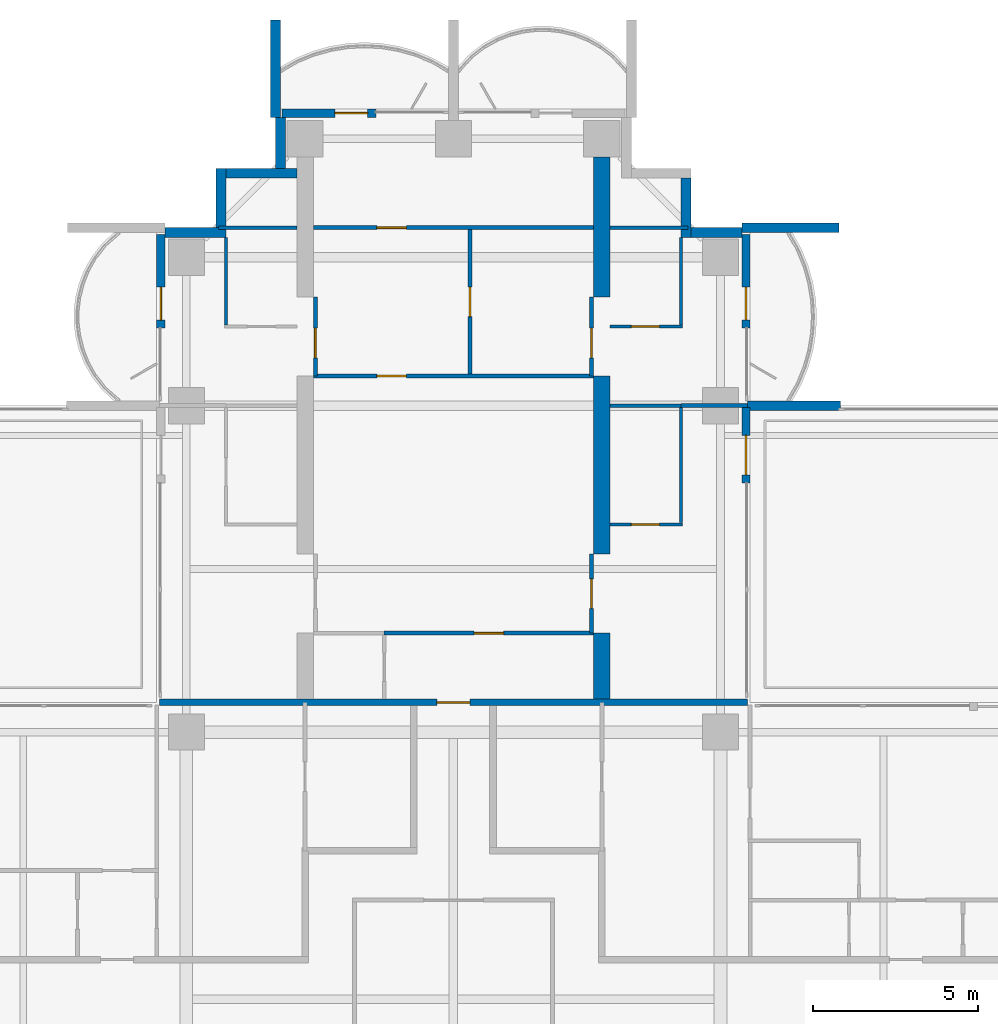
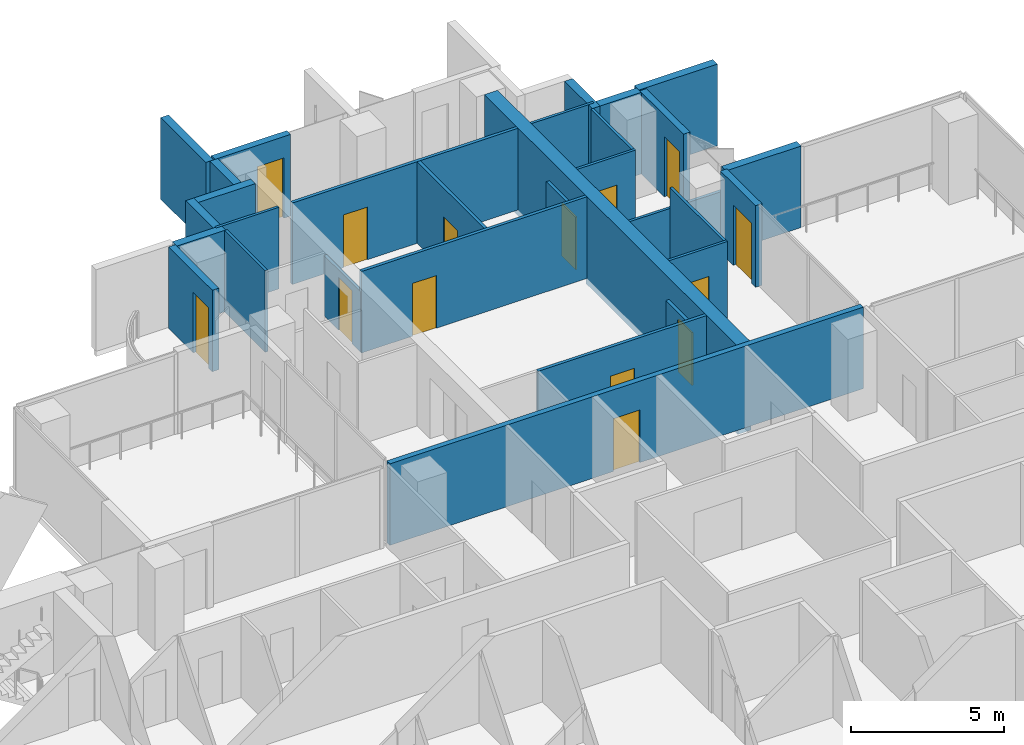
# One storey, part 14 of 19: 31 walls, 14 doors, 14 openings.
"""IFC4 building model written with IfcOpenShell, lengths in metres."""

from ifc_helpers import new_model, si_unit, direction, frame, frame_2d, origin, place, context, subcontext, project, spatial, polyline, rectangle, outline, extrude, material, layer, layer_set, material_profile, profile_set, type_object, element, fill, save


model = new_model("IFC4")

# Units and contexts
model_context = context("Model", 3, precision=1e-05, world=origin(), true_north=direction((0.0, 1.0)))
body_context = subcontext(model_context, "Body", "Model", "MODEL_VIEW")
ifc_project = project(units=[si_unit("LENGTHUNIT", "METRE"), si_unit("AREAUNIT", "SQUARE_METRE"), si_unit("VOLUMEUNIT", "CUBIC_METRE"), si_unit("PLANEANGLEUNIT", "RADIAN"), si_unit("MASSUNIT", "GRAM", prefix="KILO")], contexts=[model_context])

# Site, building, storey
site_placement = place(None, origin())
site = spatial("IfcSite", under=ifc_project, at=site_placement, CompositionType="ELEMENT")
building_placement = place(site_placement, origin())
building = spatial("IfcBuilding", under=site, at=building_placement, Name="Perihelion Cross Residences", CompositionType="ELEMENT")
storey_placement = place(building_placement, frame((0.0, 0.0, 147.89990234375)))
storey = spatial("IfcBuildingStorey", under=building, at=storey_placement, Name="L36", CompositionType="ELEMENT", Elevation=147.89990234375)

# Wall, opening, door
ifc_material_1 = material(Name="Plasterboard partition")
ifc_layer_1 = layer(ifc_material_1, 0.199951171875)
ifc_layer_set_1 = layer_set([ifc_layer_1], Name="Apartment separation wall 200")
wall_type_1 = type_object("IfcWallType", Name="Apartment separation wall 200", PredefinedType="PARTITIONING", material=ifc_layer_set_1)
wall_1_placement = place(storey_placement, frame((-8.919921875, 9.0, 0.0), z_axis=(0.0, 0.0, 1.0), x_axis=(1.0, 0.0, 0.0)))
wall_1 = element("IfcWall", 1, at=wall_1_placement, inside=storey, type_object=wall_type_1, Name="Partition L36 W021", PredefinedType="PARTITIONING", context=body_context, shape_type="SweptSolid", body=[
    extrude(rectangle(XDim=17.83984375, YDim=0.199951171875, at=frame_2d((8.919921875, 0.0))), origin(), (0.0, 0.0, 1.0), 3.25),
])
opening_1_placement = place(wall_1_placement, frame((8.419921875, 0.0, 0.0)))
opening_1 = element("IfcOpeningElement", 2, at=opening_1_placement, cuts=wall_1, Name="Opening L36.A34", PredefinedType="OPENING", context=body_context, shape_type="SweptSolid", body=[
    extrude(rectangle(XDim=1.0, YDim=2.10009765625, at=frame_2d((0.5, 1.050048828125))), frame((0.0, 0.10986328125, 0.0), z_axis=(0.0, -1.0, 0.0), x_axis=(1.0, 0.0, 0.0)), (0.0, 0.0, 1.0), 0.219970703125),
])
ifc_material_2 = material(Name="Timber door leaf", Category="wood")
door_type_1 = type_object("IfcDoorType", Name="Flat entrance door 1000 x 2100", OperationType="SINGLE_SWING_LEFT", PredefinedType="DOOR", material=ifc_material_2)
door_1_placement = place(opening_1_placement, origin())
door_1 = element("IfcDoor", 3, at=door_1_placement, inside=storey, type_object=door_type_1, Name="Door L36.A34", OperationType="SINGLE_SWING_RIGHT", OverallHeight=2.10009765625, OverallWidth=1.0, PredefinedType="DOOR", context=body_context, shape_type="SweptSolid", body=[
    extrude(rectangle(XDim=1.0, YDim=2.10009765625, at=frame_2d((0.5, 1.050048828125))), frame((0.0, 0.02490234375, 0.0), z_axis=(0.0, -1.0, 0.0), x_axis=(1.0, 0.0, 0.0)), (0.0, 0.0, 1.0), 0.050048828125),
])
fill(opening_1, door_1)

ifc_material_3 = material(Name="Concrete C30/37, bronze-clad", Category="concrete")
ifc_layer_2 = layer(ifc_material_3, 0.25)
ifc_layer_set_2 = layer_set([ifc_layer_2], Name="Bronze-clad pier wall 250")
wall_type_2 = type_object("IfcWallType", Name="Bronze-clad pier wall 250", PredefinedType="SOLIDWALL", material=ifc_layer_set_2)
wall_2_placement = place(storey_placement, frame((8.875, 15.64990234375, 0.0), z_axis=(0.0, 0.0, 1.0), x_axis=(0.0, 1.0, 0.0)))
wall_2 = element("IfcWall", 4, at=wall_2_placement, inside=storey, type_object=wall_type_2, Name="Wall FW1 L36 north side east bay 1 pier", PredefinedType="SOLIDWALL", context=body_context, shape_type="SweptSolid", body=[
    extrude(rectangle(XDim=2.2900390625, YDim=0.25, at=frame_2d((1.14501953125, 0.0))), origin(), (0.0, 0.0, 1.0), 3.25),
])
opening_2_placement = place(wall_2_placement, frame((0.25, 0.0, 0.0)))
opening_2 = element("IfcOpeningElement", 5, at=opening_2_placement, cuts=wall_2, Name="Opening L36.E02", PredefinedType="OPENING", context=body_context, shape_type="SweptSolid", body=[
    extrude(rectangle(XDim=1.199951171875, YDim=2.39990234375, at=frame_2d((0.60009765625, 1.199951171875))), frame((0.0, 0.135009765625, 0.0), z_axis=(0.0, -1.0, 0.0), x_axis=(1.0, 0.0, 0.0)), (0.0, 0.0, 1.0), 0.27001953125),
])
ifc_material_4 = material(Name="Bronze anodised aluminium, glazed", Category="aluminium")
door_type_2 = type_object("IfcDoorType", Name="Balcony door 1200 x 2400", OperationType="NOTDEFINED", PredefinedType="DOOR", material=ifc_material_4)
door_2_placement = place(opening_2_placement, origin())
door_2 = element("IfcDoor", 6, at=door_2_placement, inside=storey, type_object=door_type_2, Name="Door L36.E02 north side east bay 1", OperationType="SINGLE_SWING_LEFT", OverallHeight=2.39990234375, OverallWidth=1.199951171875, PredefinedType="DOOR", context=body_context, shape_type="SweptSolid", body=[
    extrude(rectangle(XDim=1.199951171875, YDim=2.39990234375, at=frame_2d((0.60009765625, 1.199951171875))), frame((0.0, 0.02490234375, 0.0), z_axis=(0.0, -1.0, 0.0), x_axis=(1.0, 0.0, 0.0)), (0.0, 0.0, 1.0), 0.050048828125),
])
fill(opening_2, door_2)

wall_3_placement = place(storey_placement, frame((8.875, 20.35009765625, 0.0), z_axis=(0.0, 0.0, 1.0), x_axis=(0.0, 1.0, 0.0)))
wall_3 = element("IfcWall", 7, at=wall_3_placement, inside=storey, type_object=wall_type_2, Name="Wall FW1 L36 north side east bay 2 pier", PredefinedType="SOLIDWALL", context=body_context, shape_type="SweptSolid", body=[
    extrude(rectangle(XDim=2.849853515625, YDim=0.25, at=frame_2d((1.4248046875, 0.0))), origin(), (0.0, 0.0, 1.0), 3.25),
])
opening_3_placement = place(wall_3_placement, frame((0.25, 0.0, 0.0)))
opening_3 = element("IfcOpeningElement", 8, at=opening_3_placement, cuts=wall_3, Name="Opening L36.E03", PredefinedType="OPENING", context=body_context, shape_type="SweptSolid", body=[
    extrude(rectangle(XDim=1.0, YDim=2.39990234375, at=frame_2d((0.5, 1.199951171875))), frame((0.0, 0.135009765625, 0.0), z_axis=(0.0, -1.0, 0.0), x_axis=(1.0, 0.0, 0.0)), (0.0, 0.0, 1.0), 0.27001953125),
])
ifc_material_5 = material(Name="Bronze anodised aluminium, glazed", Category="aluminium")
door_type_3 = type_object("IfcDoorType", Name="Balcony door 1000 x 2400", OperationType="NOTDEFINED", PredefinedType="DOOR", material=ifc_material_5)
door_3_placement = place(opening_3_placement, origin())
door_3 = element("IfcDoor", 9, at=door_3_placement, inside=storey, type_object=door_type_3, Name="Door L36.E03 north side east bay 2", OperationType="SINGLE_SWING_RIGHT", OverallHeight=2.39990234375, OverallWidth=1.0, PredefinedType="DOOR", context=body_context, shape_type="SweptSolid", body=[
    extrude(rectangle(XDim=1.0, YDim=2.39990234375, at=frame_2d((0.5, 1.199951171875))), frame((0.0, 0.02490234375, 0.0), z_axis=(0.0, -1.0, 0.0), x_axis=(1.0, 0.0, 0.0)), (0.0, 0.0, 1.0), 0.050048828125),
])
fill(opening_3, door_3)

wall_4_placement = place(storey_placement, frame((-2.35009765625, 26.875, 0.0), z_axis=(0.0, 0.0, 1.0), x_axis=(-1.0, 0.0, 0.0)))
wall_4 = element("IfcWall", 10, at=wall_4_placement, inside=storey, type_object=wall_type_2, Name="Wall FW1 L36 north tip north bay 2 pier", PredefinedType="SOLIDWALL", context=body_context, shape_type="SweptSolid", body=[
    extrude(rectangle(XDim=2.849853515625, YDim=0.25, at=frame_2d((1.4248046875, 0.0))), origin(), (0.0, 0.0, 1.0), 3.25),
])
opening_4_placement = place(wall_4_placement, frame((0.25, 0.0, 0.0)))
opening_4 = element("IfcOpeningElement", 11, at=opening_4_placement, cuts=wall_4, Name="Opening L36.E05", PredefinedType="OPENING", context=body_context, shape_type="SweptSolid", body=[
    extrude(rectangle(XDim=1.0, YDim=2.39990234375, at=frame_2d((0.5, 1.199951171875))), frame((0.0, 0.135009765625, 0.0), z_axis=(0.0, -1.0, 0.0), x_axis=(1.0, 0.0, 0.0)), (0.0, 0.0, 1.0), 0.27001953125),
])
door_4_placement = place(opening_4_placement, origin())
door_4 = element("IfcDoor", 12, at=door_4_placement, inside=storey, type_object=door_type_3, Name="Door L36.E05 north tip north bay 2", OperationType="SINGLE_SWING_RIGHT", OverallHeight=2.39990234375, OverallWidth=1.0, PredefinedType="DOOR", context=body_context, shape_type="SweptSolid", body=[
    extrude(rectangle(XDim=1.0, YDim=2.39990234375, at=frame_2d((0.5, 1.199951171875))), frame((0.0, 0.02490234375, 0.0), z_axis=(0.0, -1.0, 0.0), x_axis=(1.0, 0.0, 0.0)), (0.0, 0.0, 1.0), 0.050048828125),
])
fill(opening_4, door_4)

wall_5_placement = place(storey_placement, frame((-8.875, 23.199951171875, 0.0), z_axis=(0.0, 0.0, 1.0), x_axis=(0.0, -1.0, 0.0)))
wall_5 = element("IfcWall", 13, at=wall_5_placement, inside=storey, type_object=wall_type_2, Name="Wall FW1 L36 north side west bay 1 pier", PredefinedType="SOLIDWALL", context=body_context, shape_type="SweptSolid", body=[
    extrude(rectangle(XDim=2.849853515625, YDim=0.25, at=frame_2d((1.4248046875, 0.0))), origin(), (0.0, 0.0, 1.0), 3.25),
])
opening_5_placement = place(wall_5_placement, frame((1.60009765625, 0.0, 0.0)))
opening_5 = element("IfcOpeningElement", 14, at=opening_5_placement, cuts=wall_5, Name="Opening L36.E06", PredefinedType="OPENING", context=body_context, shape_type="SweptSolid", body=[
    extrude(rectangle(XDim=1.0, YDim=2.39990234375, at=frame_2d((0.5, 1.199951171875))), frame((0.0, 0.135009765625, 0.0), z_axis=(0.0, -1.0, 0.0), x_axis=(1.0, 0.0, 0.0)), (0.0, 0.0, 1.0), 0.27001953125),
])
door_5_placement = place(opening_5_placement, origin())
door_5 = element("IfcDoor", 15, at=door_5_placement, inside=storey, type_object=door_type_3, Name="Door L36.E06 north side west bay 1", OperationType="SINGLE_SWING_LEFT", OverallHeight=2.39990234375, OverallWidth=1.0, PredefinedType="DOOR", context=body_context, shape_type="SweptSolid", body=[
    extrude(rectangle(XDim=1.0, YDim=2.39990234375, at=frame_2d((0.5, 1.199951171875))), frame((0.0, 0.02490234375, 0.0), z_axis=(0.0, -1.0, 0.0), x_axis=(1.0, 0.0, 0.0)), (0.0, 0.0, 1.0), 0.050048828125),
])
fill(opening_5, door_5)

# Walls
ifc_material_6 = material(Name="Concrete C30/37, bronze-clad", Category="concrete")
ifc_layer_3 = layer(ifc_material_6, 0.300048828125)
ifc_layer_set_3 = layer_set([ifc_layer_3], Name="Bronze-clad serration wall 300")
wall_type_3 = type_object("IfcWallType", Name="Bronze-clad serration wall 300", PredefinedType="SOLIDWALL", material=ifc_layer_set_3)
wall_6_placement = place(storey_placement, frame((8.75, 23.25, 0.0), z_axis=(0.0, 0.0, 1.0), x_axis=(-1.0, 0.0, 0.0)))
element("IfcWall", 16, at=wall_6_placement, inside=storey, type_object=wall_type_3, Name="Wall SR1 L36 north corner north-east 1", PredefinedType="SOLIDWALL", context=body_context, shape_type="SweptSolid", body=[
    extrude(rectangle(XDim=1.550048828125, YDim=0.300048828125, at=frame_2d((0.77490234375, 0.0))), origin(), (0.0, 0.0, 1.0), 3.25),
])
wall_7_placement = place(storey_placement, frame((7.050048828125, 23.10009765625, 0.0), z_axis=(0.0, 0.0, 1.0), x_axis=(0.0, 1.0, 0.0)))
element("IfcWall", 17, at=wall_7_placement, inside=storey, type_object=wall_type_3, Name="Wall SR1 L36 north corner north-east 2", PredefinedType="SOLIDWALL", context=body_context, shape_type="SweptSolid", body=[
    extrude(rectangle(XDim=1.7998046875, YDim=0.300048828125, at=frame_2d((0.89990234375, 0.0))), origin(), (0.0, 0.0, 1.0), 3.25),
])
wall_8_placement = place(storey_placement, frame((-5.25, 26.75, 0.0), z_axis=(0.0, 0.0, 1.0), x_axis=(0.0, -1.0, 0.0)))
element("IfcWall", 18, at=wall_8_placement, inside=storey, type_object=wall_type_3, Name="Wall SR1 L36 north corner north-west 1", PredefinedType="SOLIDWALL", context=body_context, shape_type="SweptSolid", body=[
    extrude(rectangle(XDim=1.550048828125, YDim=0.300048828125, at=frame_2d((0.77490234375, 0.0))), origin(), (0.0, 0.0, 1.0), 3.25),
])
wall_9_placement = place(storey_placement, frame((-4.75, 25.050048828125, 0.0), z_axis=(0.0, 0.0, 1.0), x_axis=(-1.0, 0.0, 0.0)))
element("IfcWall", 19, at=wall_9_placement, inside=storey, type_object=wall_type_3, Name="Wall SR1 L36 north corner north-west 2", PredefinedType="SOLIDWALL", context=body_context, shape_type="SweptSolid", body=[
    extrude(rectangle(XDim=2.14990234375, YDim=0.300048828125, at=frame_2d((1.074951171875, 0.0))), origin(), (0.0, 0.0, 1.0), 3.25),
])
wall_10_placement = place(storey_placement, frame((-7.050048828125, 25.199951171875, 0.0), z_axis=(0.0, 0.0, 1.0), x_axis=(0.0, -1.0, 0.0)))
element("IfcWall", 20, at=wall_10_placement, inside=storey, type_object=wall_type_3, Name="Wall SR1 L36 north corner north-west 3", PredefinedType="SOLIDWALL", context=body_context, shape_type="SweptSolid", body=[
    extrude(rectangle(XDim=1.800048828125, YDim=0.300048828125, at=frame_2d((0.89990234375, 0.0))), origin(), (0.0, 0.0, 1.0), 3.25),
])
wall_11_placement = place(storey_placement, frame((-6.89990234375, 23.25, 0.0), z_axis=(0.0, 0.0, 1.0), x_axis=(-1.0, 0.0, 0.0)))
element("IfcWall", 21, at=wall_11_placement, inside=storey, type_object=wall_type_3, Name="Wall SR1 L36 north corner north-west 4", PredefinedType="SOLIDWALL", context=body_context, shape_type="SweptSolid", body=[
    extrude(rectangle(XDim=1.85009765625, YDim=0.300048828125, at=frame_2d((0.925048828125, 0.0))), origin(), (0.0, 0.0, 1.0), 3.25),
])

# Wall, opening, door
ifc_material_7 = material(Name="Plasterboard partition")
ifc_layer_4 = layer(ifc_material_7, 0.1201171875)
ifc_layer_set_4 = layer_set([ifc_layer_4], Name="Infill panel 120")
wall_type_4 = type_object("IfcWallType", Name="Infill panel 120", PredefinedType="PARTITIONING", material=ifc_layer_set_4)
wall_12_placement = place(storey_placement, frame((4.18994140625, 11.10009765625, 0.0), z_axis=(0.0, 0.0, 1.0), x_axis=(0.0, 1.0, 0.0)))
wall_12 = element("IfcWall", 22, at=wall_12_placement, inside=storey, type_object=wall_type_4, Name="Partition L36 WI01", PredefinedType="PARTITIONING", context=body_context, shape_type="SweptSolid", body=[
    extrude(rectangle(XDim=2.39990234375, YDim=0.1201171875, at=frame_2d((1.199951171875, 0.0))), origin(), (0.0, 0.0, 1.0), 2.400146484375),
])
opening_6_placement = place(wall_12_placement, frame((0.75, 0.0, 0.0)))
opening_6 = element("IfcOpeningElement", 23, at=opening_6_placement, cuts=wall_12, Name="Opening L36.A54", PredefinedType="OPENING", context=body_context, shape_type="SweptSolid", body=[
    extrude(rectangle(XDim=0.89990234375, YDim=2.10009765625, at=frame_2d((0.449951171875, 1.050048828125))), frame((0.0, 0.070068359375, 0.0), z_axis=(0.0, -1.0, 0.0), x_axis=(1.0, 0.0, 0.0)), (0.0, 0.0, 1.0), 0.14013671875),
])
ifc_material_8 = material(Name="Timber door leaf", Category="wood")
door_type_4 = type_object("IfcDoorType", Name="Interior room door 900 x 2100", OperationType="SINGLE_SWING_LEFT", PredefinedType="DOOR", material=ifc_material_8)
door_6_placement = place(opening_6_placement, origin())
door_6 = element("IfcDoor", 24, at=door_6_placement, inside=storey, type_object=door_type_4, Name="Door L36.A54", OperationType="SINGLE_SWING_RIGHT", OverallHeight=2.10009765625, OverallWidth=0.89990234375, PredefinedType="DOOR", context=body_context, shape_type="SweptSolid", body=[
    extrude(rectangle(XDim=0.89990234375, YDim=2.10009765625, at=frame_2d((0.449951171875, 1.050048828125))), frame((0.0, 0.02490234375, 0.0), z_axis=(0.0, -1.0, 0.0), x_axis=(1.0, 0.0, 0.0)), (0.0, 0.0, 1.0), 0.050048828125),
])
fill(opening_6, door_6)

wall_13_placement = place(storey_placement, frame((4.18994140625, 18.89990234375, 0.0), z_axis=(0.0, 0.0, 1.0), x_axis=(0.0, 1.0, 0.0)))
wall_13 = element("IfcWall", 25, at=wall_13_placement, inside=storey, type_object=wall_type_4, Name="Partition L36 WI02", PredefinedType="PARTITIONING", context=body_context, shape_type="SweptSolid", body=[
    extrude(rectangle(XDim=2.400146484375, YDim=0.1201171875, at=frame_2d((1.2001953125, 0.0))), origin(), (0.0, 0.0, 1.0), 2.400146484375),
])
opening_7_placement = place(wall_13_placement, frame((0.550048828125, 0.0, 0.0)))
opening_7 = element("IfcOpeningElement", 26, at=opening_7_placement, cuts=wall_13, Name="Opening L36.A55", PredefinedType="OPENING", context=body_context, shape_type="SweptSolid", body=[
    extrude(rectangle(XDim=0.89990234375, YDim=2.10009765625, at=frame_2d((0.449951171875, 1.050048828125))), frame((0.0, 0.070068359375, 0.0), z_axis=(0.0, -1.0, 0.0), x_axis=(1.0, 0.0, 0.0)), (0.0, 0.0, 1.0), 0.14013671875),
])
door_7_placement = place(opening_7_placement, origin())
door_7 = element("IfcDoor", 27, at=door_7_placement, inside=storey, type_object=door_type_4, Name="Door L36.A55", OperationType="SINGLE_SWING_LEFT", OverallHeight=2.10009765625, OverallWidth=0.89990234375, PredefinedType="DOOR", context=body_context, shape_type="SweptSolid", body=[
    extrude(rectangle(XDim=0.89990234375, YDim=2.10009765625, at=frame_2d((0.449951171875, 1.050048828125))), frame((0.0, 0.02490234375, 0.0), z_axis=(0.0, -1.0, 0.0), x_axis=(1.0, 0.0, 0.0)), (0.0, 0.0, 1.0), 0.050048828125),
])
fill(opening_7, door_7)

wall_14_placement = place(storey_placement, frame((-4.18994140625, 18.89990234375, 0.0), z_axis=(0.0, 0.0, 1.0), x_axis=(0.0, 1.0, 0.0)))
wall_14 = element("IfcWall", 28, at=wall_14_placement, inside=storey, type_object=wall_type_4, Name="Partition L36 WI04", PredefinedType="PARTITIONING", context=body_context, shape_type="SweptSolid", body=[
    extrude(rectangle(XDim=2.400146484375, YDim=0.1201171875, at=frame_2d((1.2001953125, 0.0))), origin(), (0.0, 0.0, 1.0), 2.400146484375),
])
opening_8_placement = place(wall_14_placement, frame((0.550048828125, 0.0, 0.0)))
opening_8 = element("IfcOpeningElement", 29, at=opening_8_placement, cuts=wall_14, Name="Opening L36.A57", PredefinedType="OPENING", context=body_context, shape_type="SweptSolid", body=[
    extrude(rectangle(XDim=0.89990234375, YDim=2.10009765625, at=frame_2d((0.449951171875, 1.050048828125))), frame((0.0, 0.070068359375, 0.0), z_axis=(0.0, -1.0, 0.0), x_axis=(1.0, 0.0, 0.0)), (0.0, 0.0, 1.0), 0.14013671875),
])
door_8_placement = place(opening_8_placement, origin())
door_8 = element("IfcDoor", 30, at=door_8_placement, inside=storey, type_object=door_type_4, Name="Door L36.A57", OperationType="SINGLE_SWING_RIGHT", OverallHeight=2.10009765625, OverallWidth=0.89990234375, PredefinedType="DOOR", context=body_context, shape_type="SweptSolid", body=[
    extrude(rectangle(XDim=0.89990234375, YDim=2.10009765625, at=frame_2d((0.449951171875, 1.050048828125))), frame((0.0, 0.02490234375, 0.0), z_axis=(0.0, -1.0, 0.0), x_axis=(1.0, 0.0, 0.0)), (0.0, 0.0, 1.0), 0.050048828125),
])
fill(opening_8, door_8)

ifc_material_9 = material(Name="Plasterboard partition")
ifc_layer_5 = layer(ifc_material_9, 0.1201171875)
ifc_layer_set_5 = layer_set([ifc_layer_5], Name="Partition wall 120")
wall_type_5 = type_object("IfcWallType", Name="Partition wall 120", PredefinedType="PARTITIONING", material=ifc_layer_set_5)
wall_15_placement = place(storey_placement, frame((-2.10009765625, 11.10009765625, 0.0), z_axis=(0.0, 0.0, 1.0), x_axis=(1.0, 0.0, 0.0)))
wall_15 = element("IfcWall", 31, at=wall_15_placement, inside=storey, type_object=wall_type_5, Name="Partition L36 W068", PredefinedType="PARTITIONING", context=body_context, shape_type="SweptSolid", body=[
    extrude(rectangle(XDim=6.35009765625, YDim=0.1201171875, at=frame_2d((3.175048828125, 0.0))), origin(), (0.0, 0.0, 1.0), 3.25),
])
opening_9_placement = place(wall_15_placement, frame((2.72509765625, 0.0, 0.0)))
opening_9 = element("IfcOpeningElement", 32, at=opening_9_placement, cuts=wall_15, Name="Opening L36.A36", PredefinedType="OPENING", context=body_context, shape_type="SweptSolid", body=[
    extrude(rectangle(XDim=0.89990234375, YDim=2.10009765625, at=frame_2d((0.449951171875, 1.050048828125))), frame((0.0, 0.070068359375, 0.0), z_axis=(0.0, -1.0, 0.0), x_axis=(1.0, 0.0, 0.0)), (0.0, 0.0, 1.0), 0.14013671875),
])
door_9_placement = place(opening_9_placement, origin())
door_9 = element("IfcDoor", 33, at=door_9_placement, inside=storey, type_object=door_type_4, Name="Door L36.A36", OperationType="SINGLE_SWING_RIGHT", OverallHeight=2.10009765625, OverallWidth=0.89990234375, PredefinedType="DOOR", context=body_context, shape_type="SweptSolid", body=[
    extrude(rectangle(XDim=0.89990234375, YDim=2.10009765625, at=frame_2d((0.449951171875, 1.050048828125))), frame((0.0, 0.02490234375, 0.0), z_axis=(0.0, -1.0, 0.0), x_axis=(1.0, 0.0, 0.0)), (0.0, 0.0, 1.0), 0.050048828125),
])
fill(opening_9, door_9)

wall_16_placement = place(storey_placement, frame((-4.25, 18.89990234375, 0.0), z_axis=(0.0, 0.0, 1.0), x_axis=(1.0, 0.0, 0.0)))
wall_16 = element("IfcWall", 34, at=wall_16_placement, inside=storey, type_object=wall_type_5, Name="Partition L36 W070", PredefinedType="PARTITIONING", context=body_context, shape_type="SweptSolid", body=[
    extrude(rectangle(XDim=8.5, YDim=0.1201171875, at=frame_2d((4.25, 0.0))), origin(), (0.0, 0.0, 1.0), 3.25),
])
opening_10_placement = place(wall_16_placement, frame((1.925048828125, 0.0, 0.0)))
opening_10 = element("IfcOpeningElement", 35, at=opening_10_placement, cuts=wall_16, Name="Opening L36.A37", PredefinedType="OPENING", context=body_context, shape_type="SweptSolid", body=[
    extrude(rectangle(XDim=0.89990234375, YDim=2.10009765625, at=frame_2d((0.449951171875, 1.050048828125))), frame((0.0, 0.070068359375, 0.0), z_axis=(0.0, -1.0, 0.0), x_axis=(1.0, 0.0, 0.0)), (0.0, 0.0, 1.0), 0.14013671875),
])
door_10_placement = place(opening_10_placement, origin())
door_10 = element("IfcDoor", 36, at=door_10_placement, inside=storey, type_object=door_type_4, Name="Door L36.A37", OperationType="SINGLE_SWING_RIGHT", OverallHeight=2.10009765625, OverallWidth=0.89990234375, PredefinedType="DOOR", context=body_context, shape_type="SweptSolid", body=[
    extrude(rectangle(XDim=0.89990234375, YDim=2.10009765625, at=frame_2d((0.449951171875, 1.050048828125))), frame((0.0, 0.02490234375, 0.0), z_axis=(0.0, -1.0, 0.0), x_axis=(1.0, 0.0, 0.0)), (0.0, 0.0, 1.0), 0.050048828125),
])
fill(opening_10, door_10)

wall_17_placement = place(storey_placement, frame((0.5, 23.340087890625, 0.0), z_axis=(0.0, 0.0, 1.0), x_axis=(0.0, -1.0, 0.0)))
wall_17 = element("IfcWall", 37, at=wall_17_placement, inside=storey, type_object=wall_type_5, Name="Partition L36 W071", PredefinedType="PARTITIONING", context=body_context, shape_type="SweptSolid", body=[
    extrude(rectangle(XDim=4.380126953125, YDim=0.1201171875, at=frame_2d((2.18994140625, 0.0))), origin(), (0.0, 0.0, 1.0), 3.25),
])
opening_11_placement = place(wall_17_placement, frame((1.739990234375, 0.0, 0.0)))
opening_11 = element("IfcOpeningElement", 38, at=opening_11_placement, cuts=wall_17, Name="Opening L36.A38", PredefinedType="OPENING", context=body_context, shape_type="SweptSolid", body=[
    extrude(rectangle(XDim=0.89990234375, YDim=2.10009765625, at=frame_2d((0.449951171875, 1.050048828125))), frame((0.0, 0.070068359375, 0.0), z_axis=(0.0, -1.0, 0.0), x_axis=(1.0, 0.0, 0.0)), (0.0, 0.0, 1.0), 0.14013671875),
])
door_11_placement = place(opening_11_placement, origin())
door_11 = element("IfcDoor", 39, at=door_11_placement, inside=storey, type_object=door_type_4, Name="Door L36.A38", OperationType="SINGLE_SWING_LEFT", OverallHeight=2.10009765625, OverallWidth=0.89990234375, PredefinedType="DOOR", context=body_context, shape_type="SweptSolid", body=[
    extrude(rectangle(XDim=0.89990234375, YDim=2.10009765625, at=frame_2d((0.449951171875, 1.050048828125))), frame((0.0, 0.02490234375, 0.0), z_axis=(0.0, -1.0, 0.0), x_axis=(1.0, 0.0, 0.0)), (0.0, 0.0, 1.0), 0.050048828125),
])
fill(opening_11, door_11)

wall_18_placement = place(storey_placement, frame((-4.25, 23.39990234375, 0.0), z_axis=(0.0, 0.0, 1.0), x_axis=(1.0, 0.0, 0.0)))
wall_18 = element("IfcWall", 40, at=wall_18_placement, inside=storey, type_object=wall_type_5, Name="Partition L36 W072", PredefinedType="PARTITIONING", context=body_context, shape_type="SweptSolid", body=[
    extrude(rectangle(XDim=8.5, YDim=0.1201171875, at=frame_2d((4.25, 0.0))), origin(), (0.0, 0.0, 1.0), 3.25),
])
opening_12_placement = place(wall_18_placement, frame((1.925048828125, 0.0, 0.0)))
opening_12 = element("IfcOpeningElement", 41, at=opening_12_placement, cuts=wall_18, Name="Opening L36.A39", PredefinedType="OPENING", context=body_context, shape_type="SweptSolid", body=[
    extrude(rectangle(XDim=0.89990234375, YDim=2.10009765625, at=frame_2d((0.449951171875, 1.050048828125))), frame((0.0, 0.070068359375, 0.0), z_axis=(0.0, -1.0, 0.0), x_axis=(1.0, 0.0, 0.0)), (0.0, 0.0, 1.0), 0.14013671875),
])
door_12_placement = place(opening_12_placement, origin())
door_12 = element("IfcDoor", 42, at=door_12_placement, inside=storey, type_object=door_type_4, Name="Door L36.A39", OperationType="SINGLE_SWING_LEFT", OverallHeight=2.10009765625, OverallWidth=0.89990234375, PredefinedType="DOOR", context=body_context, shape_type="SweptSolid", body=[
    extrude(rectangle(XDim=0.89990234375, YDim=2.10009765625, at=frame_2d((0.449951171875, 1.050048828125))), frame((0.0, 0.02490234375, 0.0), z_axis=(0.0, -1.0, 0.0), x_axis=(1.0, 0.0, 0.0)), (0.0, 0.0, 1.0), 0.050048828125),
])
fill(opening_12, door_12)

# Walls
wall_19_placement = place(storey_placement, frame((6.89990234375, 18.0, 0.0), z_axis=(0.0, 0.0, 1.0), x_axis=(1.0, 0.0, 0.0)))
element("IfcWall", 43, at=wall_19_placement, inside=storey, type_object=wall_type_5, Name="Partition L36 W075", PredefinedType="PARTITIONING", context=body_context, shape_type="SweptSolid", body=[
    extrude(rectangle(XDim=2.02001953125, YDim=0.1201171875, at=frame_2d((1.010009765625, 0.0))), origin(), (0.0, 0.0, 1.0), 2.4140625),
])
ifc_material_10 = material(Name="Precast concrete C50/60", Category="concrete")
ifc_layer_6 = layer(ifc_material_10, 0.300048828125)
ifc_layer_set_6 = layer_set([ifc_layer_6], Name="Precast concrete C50/60 blade wall 300")
wall_type_6 = type_object("IfcWallType", Name="Precast concrete C50/60 blade wall 300", PredefinedType="SOLIDWALL", material=ifc_layer_set_6)
wall_20_placement = place(storey_placement, frame((-5.39990234375, 26.75, 0.0), z_axis=(0.0, 0.0, 1.0), x_axis=(0.0, 1.0, 0.0)))
element("IfcWall", 44, at=wall_20_placement, inside=storey, type_object=wall_type_6, Name="Wall BL1 L36 no. 4", PredefinedType="SOLIDWALL", context=body_context, shape_type="SweptSolid", body=[
    extrude(rectangle(XDim=2.949951171875, YDim=0.300048828125, at=frame_2d((1.47509765625, 0.0))), origin(), (0.0, 0.0, 1.0), 3.25),
])
wall_21_placement = place(storey_placement, frame((8.919921875, 18.0, 0.0), z_axis=(0.0, 0.0, 1.0), x_axis=(1.0, 0.0, 0.0)))
element("IfcWall", 45, at=wall_21_placement, inside=storey, type_object=wall_type_6, Name="Wall BL1 L36 no. 15", PredefinedType="SOLIDWALL", context=body_context, shape_type="SweptSolid", body=[
    extrude(rectangle(XDim=2.820068359375, YDim=0.300048828125, at=frame_2d((1.41015625, 0.0))), origin(), (0.0, 0.0, 1.0), 3.25),
])
wall_22_placement = place(storey_placement, frame((8.75, 23.39990234375, 0.0), z_axis=(0.0, 0.0, 1.0), x_axis=(1.0, 0.0, 0.0)))
element("IfcWall", 46, at=wall_22_placement, inside=storey, type_object=wall_type_6, Name="Wall BL1 L36 no. 16", PredefinedType="SOLIDWALL", context=body_context, shape_type="SweptSolid", body=[
    extrude(rectangle(XDim=2.949951171875, YDim=0.300048828125, at=frame_2d((1.47509765625, 0.0))), origin(), (0.0, 0.0, 1.0), 3.25),
])
ifc_material_11 = material(Name="Concrete C60/75", Category="concrete")
ifc_material_profile = material_profile(ifc_material_11, outline(polyline([(0.0, 0.0), (2.10009765625, 0.0), (2.10009765625, 2.64990234375), (4.5, 2.64990234375), (4.5, 0.0), (9.89990234375, 0.0), (9.89990234375, 2.64990234375), (12.300048828125, 2.64990234375), (12.300048828125, 0.0), (16.550048828125, 0.0), (16.550048828125, 3.5), (0.0, 3.5), (0.0, 0.0)])), Name="Tip spine wall")
ifc_profile_set = profile_set([ifc_material_profile], Name="Concrete C60/75")
wall_type_7 = type_object("IfcWallType", Name="Tip spine wall 500 with 2 door openings 16550 long 3500 high concrete C60/75", PredefinedType="SHEAR", material=ifc_profile_set)
wall_23_placement = place(storey_placement, frame((4.25, 9.0, -0.25), z_axis=(1.0, 0.0, 0.0), x_axis=(0.0, 1.0, 0.0)))
element("IfcWall", 47, at=wall_23_placement, inside=storey, type_object=wall_type_7, Name="Shear wall SW34 L36 north east", PredefinedType="SHEAR", context=body_context, shape_type="SweptSolid", body=[
    extrude(outline(polyline([(0.0, 0.0), (2.10009765625, 0.0), (2.10009765625, 2.64990234375), (4.5, 2.64990234375), (4.5, 0.0), (9.89990234375, 0.0), (9.89990234375, 2.64990234375), (12.300048828125, 2.64990234375), (12.300048828125, 0.0), (16.550048828125, 0.0), (16.550048828125, 3.5), (0.0, 3.5), (0.0, 0.0)])), origin(), (0.0, 0.0, 1.0), 0.5),
])

# Wall, opening, door
ifc_material_12 = material(Name="Plasterboard partition")
ifc_layer_7 = layer(ifc_material_12, 0.10009765625)
ifc_layer_set_7 = layer_set([ifc_layer_7], Name="Wet room wall 100")
wall_type_8 = type_object("IfcWallType", Name="Wet room wall 100", PredefinedType="PARTITIONING", material=ifc_layer_set_7)
wall_24_placement = place(storey_placement, frame((4.75, 14.39990234375, 0.0), z_axis=(0.0, 0.0, 1.0), x_axis=(1.0, 0.0, 0.0)))
wall_24 = element("IfcWall", 48, at=wall_24_placement, inside=storey, type_object=wall_type_8, Name="Partition L36 W073", PredefinedType="PARTITIONING", context=body_context, shape_type="SweptSolid", body=[
    extrude(rectangle(XDim=2.199951171875, YDim=0.10009765625, at=frame_2d((1.10009765625, 0.0))), origin(), (0.0, 0.0, 1.0), 3.25),
])
opening_13_placement = place(wall_24_placement, frame((0.64990234375, 0.0, 0.0)))
opening_13 = element("IfcOpeningElement", 49, at=opening_13_placement, cuts=wall_24, Name="Opening L36.A40", PredefinedType="OPENING", context=body_context, shape_type="SweptSolid", body=[
    extrude(rectangle(XDim=0.85009765625, YDim=2.10009765625, at=frame_2d((0.425048828125, 1.050048828125))), frame((0.0, 0.06005859375, 0.0), z_axis=(0.0, -1.0, 0.0), x_axis=(1.0, 0.0, 0.0)), (0.0, 0.0, 1.0), 0.1201171875),
])
ifc_material_13 = material(Name="Timber door leaf", Category="wood")
door_type_5 = type_object("IfcDoorType", Name="Interior bathroom door 850 x 2100", OperationType="SINGLE_SWING_LEFT", PredefinedType="DOOR", material=ifc_material_13)
door_13_placement = place(opening_13_placement, origin())
door_13 = element("IfcDoor", 50, at=door_13_placement, inside=storey, type_object=door_type_5, Name="Door L36.A40", OperationType="SINGLE_SWING_RIGHT", OverallHeight=2.10009765625, OverallWidth=0.85009765625, PredefinedType="DOOR", context=body_context, shape_type="SweptSolid", body=[
    extrude(rectangle(XDim=0.85009765625, YDim=2.10009765625, at=frame_2d((0.425048828125, 1.050048828125))), frame((0.0, 0.02490234375, 0.0), z_axis=(0.0, -1.0, 0.0), x_axis=(1.0, 0.0, 0.0)), (0.0, 0.0, 1.0), 0.050048828125),
])
fill(opening_13, door_13)

# Walls
wall_25_placement = place(storey_placement, frame((6.89990234375, 14.449951171875, 0.0), z_axis=(0.0, 0.0, 1.0), x_axis=(0.0, 1.0, 0.0)))
element("IfcWall", 51, at=wall_25_placement, inside=storey, type_object=wall_type_8, Name="Partition L36 W074", PredefinedType="PARTITIONING", context=body_context, shape_type="SweptSolid", body=[
    extrude(rectangle(XDim=3.489990234375, YDim=0.10009765625, at=frame_2d((1.7451171875, 0.0))), origin(), (0.0, 0.0, 1.0), 3.25),
])
wall_26_placement = place(storey_placement, frame((4.75, 18.0, 0.0), z_axis=(0.0, 0.0, 1.0), x_axis=(1.0, 0.0, 0.0)))
element("IfcWall", 52, at=wall_26_placement, inside=storey, type_object=wall_type_8, Name="Partition L36 W076", PredefinedType="PARTITIONING", context=body_context, shape_type="SweptSolid", body=[
    extrude(rectangle(XDim=2.14990234375, YDim=0.10009765625, at=frame_2d((1.074951171875, 0.0))), origin(), (0.0, 0.0, 1.0), 2.4140625),
])

# Wall, opening, door
wall_27_placement = place(storey_placement, frame((4.75, 20.39990234375, 0.0), z_axis=(0.0, 0.0, 1.0), x_axis=(1.0, 0.0, 0.0)))
wall_27 = element("IfcWall", 53, at=wall_27_placement, inside=storey, type_object=wall_type_8, Name="Partition L36 W077", PredefinedType="PARTITIONING", context=body_context, shape_type="SweptSolid", body=[
    extrude(rectangle(XDim=2.199951171875, YDim=0.10009765625, at=frame_2d((1.10009765625, 0.0))), origin(), (0.0, 0.0, 1.0), 3.25),
])
opening_14_placement = place(wall_27_placement, frame((0.64990234375, 0.0, 0.0)))
opening_14 = element("IfcOpeningElement", 54, at=opening_14_placement, cuts=wall_27, Name="Opening L36.A41", PredefinedType="OPENING", context=body_context, shape_type="SweptSolid", body=[
    extrude(rectangle(XDim=0.85009765625, YDim=2.10009765625, at=frame_2d((0.425048828125, 1.050048828125))), frame((0.0, 0.06005859375, 0.0), z_axis=(0.0, -1.0, 0.0), x_axis=(1.0, 0.0, 0.0)), (0.0, 0.0, 1.0), 0.1201171875),
])
door_14_placement = place(opening_14_placement, origin())
door_14 = element("IfcDoor", 55, at=door_14_placement, inside=storey, type_object=door_type_5, Name="Door L36.A41", OperationType="SINGLE_SWING_LEFT", OverallHeight=2.10009765625, OverallWidth=0.85009765625, PredefinedType="DOOR", context=body_context, shape_type="SweptSolid", body=[
    extrude(rectangle(XDim=0.85009765625, YDim=2.10009765625, at=frame_2d((0.425048828125, 1.050048828125))), frame((0.0, 0.02490234375, 0.0), z_axis=(0.0, -1.0, 0.0), x_axis=(1.0, 0.0, 0.0)), (0.0, 0.0, 1.0), 0.050048828125),
])
fill(opening_14, door_14)

# Walls
wall_28_placement = place(storey_placement, frame((6.89990234375, 20.449951171875, 0.0), z_axis=(0.0, 0.0, 1.0), x_axis=(0.0, 1.0, 0.0)))
element("IfcWall", 56, at=wall_28_placement, inside=storey, type_object=wall_type_8, Name="Partition L36 W078", PredefinedType="PARTITIONING", context=body_context, shape_type="SweptSolid", body=[
    extrude(rectangle(XDim=2.650146484375, YDim=0.10009765625, at=frame_2d((1.3251953125, 0.0))), origin(), (0.0, 0.0, 1.0), 3.25),
])
wall_29_placement = place(storey_placement, frame((4.75, 23.39990234375, 0.0), z_axis=(0.0, 0.0, 1.0), x_axis=(1.0, 0.0, 0.0)))
element("IfcWall", 57, at=wall_29_placement, inside=storey, type_object=wall_type_8, Name="Partition L36 W079", PredefinedType="PARTITIONING", context=body_context, shape_type="SweptSolid", body=[
    extrude(rectangle(XDim=2.3701171875, YDim=0.10009765625, at=frame_2d((1.18505859375, 0.0))), origin(), (0.0, 0.0, 1.0), 3.25),
])
wall_30_placement = place(storey_placement, frame((-6.89990234375, 23.10009765625, 0.0), z_axis=(0.0, 0.0, 1.0), x_axis=(0.0, -1.0, 0.0)))
element("IfcWall", 58, at=wall_30_placement, inside=storey, type_object=wall_type_8, Name="Partition L36 W084", PredefinedType="PARTITIONING", context=body_context, shape_type="SweptSolid", body=[
    extrude(rectangle(XDim=2.650146484375, YDim=0.10009765625, at=frame_2d((1.3251953125, 0.0))), origin(), (0.0, 0.0, 1.0), 3.25),
])
wall_31_placement = place(storey_placement, frame((-7.1201171875, 23.39990234375, 0.0), z_axis=(0.0, 0.0, 1.0), x_axis=(1.0, 0.0, 0.0)))
element("IfcWall", 59, at=wall_31_placement, inside=storey, type_object=wall_type_8, Name="Partition L36 W086", PredefinedType="PARTITIONING", context=body_context, shape_type="SweptSolid", body=[
    extrude(rectangle(XDim=2.3701171875, YDim=0.10009765625, at=frame_2d((1.18505859375, 0.0))), origin(), (0.0, 0.0, 1.0), 3.25),
])

save(model, "model.ifc")
